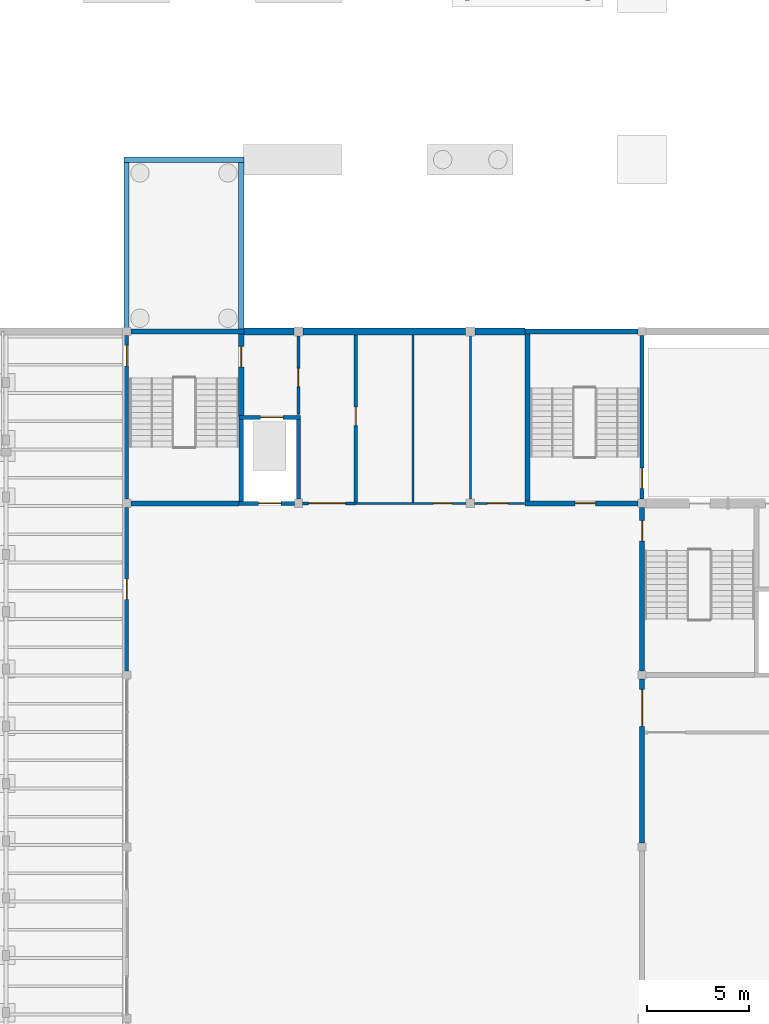
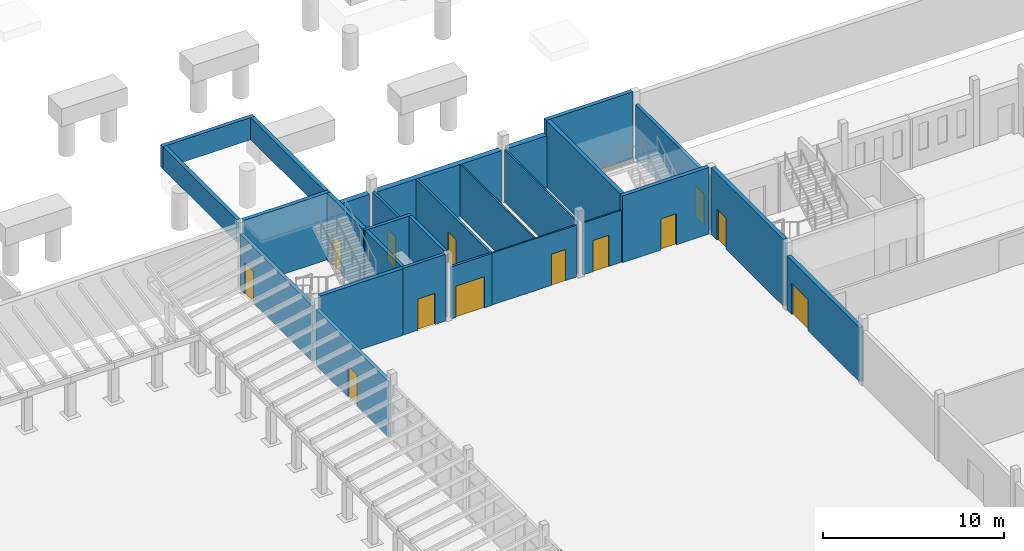
# One storey, part 44 of 60: 28 walls, 14 doors, 14 openings.
"""IFC4 building model written with IfcOpenShell, lengths in metres."""

from ifc_helpers import new_model, si_unit, direction, frame, frame_2d, origin, place, context, subcontext, project, spatial, rectangle, extrude, material, layer, layer_set, type_object, element, fill, save


model = new_model("IFC4")

# Units and contexts
model_context = context("Model", 3, precision=1e-05, world=origin(), true_north=direction((0.0, 1.0)))
body_context = subcontext(model_context, "Body", "Model", "MODEL_VIEW")
ifc_project = project(units=[si_unit("LENGTHUNIT", "METRE"), si_unit("AREAUNIT", "SQUARE_METRE"), si_unit("VOLUMEUNIT", "CUBIC_METRE"), si_unit("PLANEANGLEUNIT", "RADIAN"), si_unit("MASSUNIT", "GRAM", prefix="KILO")], contexts=[model_context])

# Site, building, storey
site_placement = place(None, origin())
site = spatial("IfcSite", under=ifc_project, at=site_placement, CompositionType="ELEMENT")
building_placement = place(site_placement, origin())
building = spatial("IfcBuilding", under=site, at=building_placement, Name="Fescue Hill Polytechnic", CompositionType="ELEMENT")
storey_placement = place(building_placement, frame((0.0, 0.0, 4.5)))
storey = spatial("IfcBuildingStorey", under=building, at=storey_placement, Name="L01", CompositionType="ELEMENT", Elevation=4.5)

# Wall, opening, door
ifc_material_1 = material(Name="Concrete 40 MPa", Category="concrete")
ifc_layer_1 = layer(ifc_material_1, 0.25)
ifc_layer_set_1 = layer_set([ifc_layer_1], Name="Concrete 40 MPa")
wall_type_1 = type_object("IfcWallType", Name="Core wall 250", PredefinedType="SHEAR", material=ifc_layer_set_1)
wall_1_placement = place(storey_placement, frame((117.60009765625, 92.60009765625, 0.0), z_axis=(0.0, 0.0, 1.0), x_axis=(0.0, 1.0, 0.0)))
wall_1 = element("IfcWall", 1, at=wall_1_placement, inside=storey, type_object=wall_type_1, Name="CW-L01-ST-V2-1-31", PredefinedType="SHEAR", context=body_context, shape_type="SweptSolid", body=[
    extrude(rectangle(XDim=8.0, YDim=0.25, at=frame_2d((4.0, 0.0))), origin(), (0.0, 0.0, 1.0), 4.5),
])
opening_1_placement = place(wall_1_placement, frame((6.35009765625, 0.0, 0.0)))
opening_1 = element("IfcOpeningElement", 2, at=opening_1_placement, cuts=wall_1, Name="Opening D1088", PredefinedType="OPENING", context=body_context, shape_type="SweptSolid", body=[
    extrude(rectangle(XDim=1.0, YDim=2.10009765625, at=frame_2d((0.5, 1.050048828125))), frame((0.0, 0.135009765625, 0.0), z_axis=(0.0, -1.0, 0.0), x_axis=(1.0, 0.0, 0.0)), (0.0, 0.0, 1.0), 0.27001953125),
])
ifc_material_2 = material(Name="Steel fire door", Category="steel")
door_type_1 = type_object("IfcDoorType", Name="Door single swing 1000x2100 stair fire rated", OperationType="NOTDEFINED", PredefinedType="DOOR", material=ifc_material_2)
door_1_placement = place(opening_1_placement, origin())
door_1 = element("IfcDoor", 3, at=door_1_placement, inside=storey, type_object=door_type_1, Name="L01 ST-V2-1 stair door", OperationType="SINGLE_SWING_RIGHT", OverallHeight=2.10009765625, OverallWidth=1.0, PredefinedType="DOOR", context=body_context, shape_type="SweptSolid", body=[
    extrude(rectangle(XDim=1.0, YDim=2.10009765625, at=frame_2d((0.5, 1.050048828125))), frame((0.0, 0.02490234375, 0.0), z_axis=(0.0, -1.0, 0.0), x_axis=(1.0, 0.0, 0.0)), (0.0, 0.0, 1.0), 0.050048828125),
])
fill(opening_1, door_1)

# Walls
wall_2_placement = place(storey_placement, frame((92.60009765625, 100.800048828125, 0.0), z_axis=(0.0, 0.0, 1.0), x_axis=(1.0, 0.0, 0.0)))
element("IfcWall", 4, at=wall_2_placement, inside=storey, type_object=wall_type_1, Name="CW-L01-ST-V6-1-11", PredefinedType="SHEAR", context=body_context, shape_type="SweptSolid", body=[
    extrude(rectangle(XDim=5.2998046875, YDim=0.25, at=frame_2d((2.64990234375, 0.0))), origin(), (0.0, 0.0, 1.0), 4.5),
])
wall_3_placement = place(storey_placement, frame((92.60009765625, 109.199951171875, 0.0), z_axis=(0.0, 0.0, 1.0), x_axis=(1.0, 0.0, 0.0)))
element("IfcWall", 5, at=wall_3_placement, inside=storey, type_object=wall_type_1, Name="CW-L01-ST-V6-1-21", PredefinedType="SHEAR", context=body_context, shape_type="SweptSolid", body=[
    extrude(rectangle(XDim=5.52490234375, YDim=0.25, at=frame_2d((2.762451171875, 0.0))), origin(), (0.0, 0.0, 1.0), 4.5),
])

# Wall, opening, door
wall_4_placement = place(storey_placement, frame((98.0, 105.010009765625, 0.0), z_axis=(0.0, 0.0, 1.0), x_axis=(0.0, 1.0, 0.0)))
wall_4 = element("IfcWall", 6, at=wall_4_placement, inside=storey, type_object=wall_type_1, Name="CW-L01-ST-V6-1-41", PredefinedType="SHEAR", context=body_context, shape_type="SweptSolid", body=[
    extrude(rectangle(XDim=4.06494140625, YDim=0.25, at=frame_2d((2.032470703125, 0.0))), origin(), (0.0, 0.0, 1.0), 4.5),
])
opening_2_placement = place(wall_4_placement, frame((2.465087890625, 0.0, 0.0)))
opening_2 = element("IfcOpeningElement", 7, at=opening_2_placement, cuts=wall_4, Name="Opening D1098", PredefinedType="OPENING", context=body_context, shape_type="SweptSolid", body=[
    extrude(rectangle(XDim=1.0, YDim=2.10009765625, at=frame_2d((0.5, 1.050048828125))), frame((0.0, 0.135009765625, 0.0), z_axis=(0.0, -1.0, 0.0), x_axis=(1.0, 0.0, 0.0)), (0.0, 0.0, 1.0), 0.27001953125),
])
door_2_placement = place(opening_2_placement, origin())
door_2 = element("IfcDoor", 8, at=door_2_placement, inside=storey, type_object=door_type_1, Name="L01 ST-V6-1 stair door", OperationType="SINGLE_SWING_RIGHT", OverallHeight=2.10009765625, OverallWidth=1.0, PredefinedType="DOOR", context=body_context, shape_type="SweptSolid", body=[
    extrude(rectangle(XDim=1.0, YDim=2.10009765625, at=frame_2d((0.5, 1.050048828125))), frame((0.0, 0.02490234375, 0.0), z_axis=(0.0, -1.0, 0.0), x_axis=(1.0, 0.0, 0.0)), (0.0, 0.0, 1.0), 0.050048828125),
])
fill(opening_2, door_2)

wall_5_placement = place(storey_placement, frame((111.875, 100.800048828125, 0.0), z_axis=(0.0, 0.0, 1.0), x_axis=(1.0, 0.0, 0.0)))
wall_5 = element("IfcWall", 9, at=wall_5_placement, inside=storey, type_object=wall_type_1, Name="CW-L01-ST-V6-2-11", PredefinedType="SHEAR", context=body_context, shape_type="SweptSolid", body=[
    extrude(rectangle(XDim=5.52490234375, YDim=0.25, at=frame_2d((2.762451171875, 0.0))), origin(), (0.0, 0.0, 1.0), 4.5),
])
opening_3_placement = place(wall_5_placement, frame((2.449951171875, 0.0, 0.0)))
opening_3 = element("IfcOpeningElement", 10, at=opening_3_placement, cuts=wall_5, Name="Opening D1100", PredefinedType="OPENING", context=body_context, shape_type="SweptSolid", body=[
    extrude(rectangle(XDim=1.0, YDim=2.10009765625, at=frame_2d((0.5, 1.050048828125))), frame((0.0, 0.135009765625, 0.0), z_axis=(0.0, -1.0, 0.0), x_axis=(1.0, 0.0, 0.0)), (0.0, 0.0, 1.0), 0.27001953125),
])
door_3_placement = place(opening_3_placement, origin())
door_3 = element("IfcDoor", 11, at=door_3_placement, inside=storey, type_object=door_type_1, Name="L01 ST-V6-2 stair door", OperationType="SINGLE_SWING_LEFT", OverallHeight=2.10009765625, OverallWidth=1.0, PredefinedType="DOOR", context=body_context, shape_type="SweptSolid", body=[
    extrude(rectangle(XDim=1.0, YDim=2.10009765625, at=frame_2d((0.5, 1.050048828125))), frame((0.0, 0.02490234375, 0.0), z_axis=(0.0, -1.0, 0.0), x_axis=(1.0, 0.0, 0.0)), (0.0, 0.0, 1.0), 0.050048828125),
])
fill(opening_3, door_3)

# Walls
wall_6_placement = place(storey_placement, frame((111.875, 109.199951171875, 0.0), z_axis=(0.0, 0.0, 1.0), x_axis=(1.0, 0.0, 0.0)))
element("IfcWall", 12, at=wall_6_placement, inside=storey, type_object=wall_type_1, Name="CW-L01-ST-V6-2-21", PredefinedType="SHEAR", context=body_context, shape_type="SweptSolid", body=[
    extrude(rectangle(XDim=5.52490234375, YDim=0.25, at=frame_2d((2.762451171875, 0.0))), origin(), (0.0, 0.0, 1.0), 4.5),
])
wall_7_placement = place(storey_placement, frame((112.0, 100.925048828125, 0.0), z_axis=(0.0, 0.0, 1.0), x_axis=(0.0, 1.0, 0.0)))
element("IfcWall", 13, at=wall_7_placement, inside=storey, type_object=wall_type_1, Name="CW-L01-ST-V6-2-31", PredefinedType="SHEAR", context=body_context, shape_type="SweptSolid", body=[
    extrude(rectangle(XDim=8.14990234375, YDim=0.25, at=frame_2d((4.074951171875, 0.0))), origin(), (0.0, 0.0, 1.0), 4.5),
])
wall_8_placement = place(storey_placement, frame((92.27490234375, 117.60009765625, 3.0), z_axis=(0.0, 0.0, 1.0), x_axis=(1.0, 0.0, 0.0)))
element("IfcWall", 14, at=wall_8_placement, inside=storey, type_object=wall_type_1, Name="FW-ST-V4b-3-2", PredefinedType="SHEAR", context=body_context, shape_type="SweptSolid", body=[
    extrude(rectangle(XDim=5.85009765625, YDim=0.25, at=frame_2d((2.925048828125, 0.0))), origin(), (0.0, 0.0, 1.0), 1.5),
])
for number, where, z_axis, x_axis, name in (
    (15, (92.39990234375, 109.324951171875, 3.0), (0.0, 0.0, 1.0), (0.0, 1.0, 0.0), "FW-ST-V4b-3-3"),
    (16, (98.0, 109.324951171875, 3.0), (0.0, 0.0, 1.0), (0.0, 1.0, 0.0), "FW-ST-V4b-3-4"),
):
    element("IfcWall", number, at=place(storey_placement, frame(where, z_axis=z_axis, x_axis=x_axis)), inside=storey, type_object=wall_type_1, Name=name, PredefinedType="SHEAR", context=body_context, shape_type="SweptSolid", body=[
        extrude(rectangle(XDim=8.150146484375, YDim=0.25, at=frame_2d((4.0751953125, 0.0))), origin(), (0.0, 0.0, 1.0), 1.5),
    ])

# Wall, opening, door
ifc_layer_2 = layer(ifc_material_1, 0.199951171875)
ifc_layer_set_2 = layer_set([ifc_layer_2], Name="Concrete 40 MPa")
wall_type_2 = type_object("IfcWallType", Name="Entrance core wall concrete 200 load-bearing", PredefinedType="SOLIDWALL", material=ifc_layer_set_2)
wall_9_placement = place(storey_placement, frame((117.60009765625, 101.0, 0.0), z_axis=(0.0, 0.0, 1.0), x_axis=(0.0, 1.0, 0.0)))
wall_9 = element("IfcWall", 17, at=wall_9_placement, inside=storey, type_object=wall_type_2, Name="EW-L01-V6-1", PredefinedType="SOLIDWALL", context=body_context, shape_type="SweptSolid", body=[
    extrude(rectangle(XDim=8.0, YDim=0.199951171875, at=frame_2d((4.0, 0.0))), origin(), (0.0, 0.0, 1.0), 3.64990234375),
])
opening_4_placement = place(wall_9_placement, frame((1.52490234375, 0.0, 0.0), z_axis=(0.0, 0.0, 1.0), x_axis=(-1.0, 0.0, 0.0)))
opening_4 = element("IfcOpeningElement", 18, at=opening_4_placement, cuts=wall_9, Name="Opening D1101", PredefinedType="OPENING", context=body_context, shape_type="SweptSolid", body=[
    extrude(rectangle(XDim=1.0, YDim=2.10009765625, at=frame_2d((0.5, 1.050048828125))), frame((0.0, 0.10986328125, 0.0), z_axis=(0.0, -1.0, 0.0), x_axis=(1.0, 0.0, 0.0)), (0.0, 0.0, 1.0), 0.219970703125),
])
ifc_material_3 = material(Name="Hollow metal")
door_type_2 = type_object("IfcDoorType", Name="Door exit single 1000x2100 fire rated", OperationType="SINGLE_SWING_LEFT", PredefinedType="DOOR", material=ifc_material_3)
door_4_placement = place(opening_4_placement, origin())
door_4 = element("IfcDoor", 19, at=door_4_placement, inside=storey, type_object=door_type_2, Name="Door D1101", OperationType="SINGLE_SWING_LEFT", OverallHeight=2.10009765625, OverallWidth=1.0, PredefinedType="DOOR", context=body_context, shape_type="SweptSolid", body=[
    extrude(rectangle(XDim=1.0, YDim=2.10009765625, at=frame_2d((0.5, 1.050048828125))), frame((0.0, 0.02490234375, 0.0), z_axis=(0.0, -1.0, 0.0), x_axis=(1.0, 0.0, 0.0)), (0.0, 0.0, 1.0), 0.050048828125),
])
fill(opening_4, door_4)

wall_10_placement = place(storey_placement, frame((92.39990234375, 109.0, 0.0), z_axis=(0.0, 0.0, 1.0), x_axis=(0.0, -1.0, 0.0)))
wall_10 = element("IfcWall", 20, at=wall_10_placement, inside=storey, type_object=wall_type_2, Name="EW-L01-V6-2", PredefinedType="SOLIDWALL", context=body_context, shape_type="SweptSolid", body=[
    extrude(rectangle(XDim=8.0, YDim=0.199951171875, at=frame_2d((4.0, 0.0))), origin(), (0.0, 0.0, 1.0), 3.75),
])
opening_5_placement = place(wall_10_placement, frame((1.47509765625, 0.0, 0.0), z_axis=(0.0, 0.0, 1.0), x_axis=(-1.0, 0.0, 0.0)))
opening_5 = element("IfcOpeningElement", 21, at=opening_5_placement, cuts=wall_10, Name="Opening D1099", PredefinedType="OPENING", context=body_context, shape_type="SweptSolid", body=[
    extrude(rectangle(XDim=1.0, YDim=2.10009765625, at=frame_2d((0.5, 1.050048828125))), frame((0.0, 0.10986328125, 0.0), z_axis=(0.0, -1.0, 0.0), x_axis=(1.0, 0.0, 0.0)), (0.0, 0.0, 1.0), 0.219970703125),
])
door_5_placement = place(opening_5_placement, origin())
door_5 = element("IfcDoor", 22, at=door_5_placement, inside=storey, type_object=door_type_2, Name="Door D1099", OperationType="SINGLE_SWING_LEFT", OverallHeight=2.10009765625, OverallWidth=1.0, PredefinedType="DOOR", context=body_context, shape_type="SweptSolid", body=[
    extrude(rectangle(XDim=1.0, YDim=2.10009765625, at=frame_2d((0.5, 1.050048828125))), frame((0.0, 0.02490234375, 0.0), z_axis=(0.0, -1.0, 0.0), x_axis=(1.0, 0.0, 0.0)), (0.0, 0.0, 1.0), 0.050048828125),
])
fill(opening_5, door_5)

ifc_material_4 = material(Name="Glass", Category="glass")
ifc_layer_3 = layer(ifc_material_4, 0.199951171875)
ifc_layer_set_3 = layer_set([ifc_layer_3], Name="Glass")
wall_type_3 = type_object("IfcWallType", Name="Entrance frame wall metal and glass 200", PredefinedType="SOLIDWALL", material=ifc_layer_set_3)
wall_11_placement = place(storey_placement, frame((92.39990234375, 100.60009765625, 0.0), z_axis=(0.0, 0.0, 1.0), x_axis=(0.0, -1.0, 0.0)))
wall_11 = element("IfcWall", 23, at=wall_11_placement, inside=storey, type_object=wall_type_3, Name="EW-L01-V6-3", PredefinedType="SOLIDWALL", context=body_context, shape_type="SweptSolid", body=[
    extrude(rectangle(XDim=8.0, YDim=0.199951171875, at=frame_2d((4.0, 0.0))), origin(), (0.0, 0.0, 1.0), 3.75),
])
opening_6_placement = place(wall_11_placement, frame((3.5, 0.0, 0.0)))
opening_6 = element("IfcOpeningElement", 24, at=opening_6_placement, cuts=wall_11, Name="Opening D1010", PredefinedType="OPENING", context=body_context, shape_type="SweptSolid", body=[
    extrude(rectangle(XDim=1.0, YDim=2.10009765625, at=frame_2d((0.5, 1.050048828125))), frame((0.0, 0.10986328125, 0.0), z_axis=(0.0, -1.0, 0.0), x_axis=(1.0, 0.0, 0.0)), (0.0, 0.0, 1.0), 0.219970703125),
])
ifc_material_5 = material(Name="Aluminium and glass", Category="aluminium")
door_type_3 = type_object("IfcDoorType", Name="Door exit single 1000x2100 glazed", OperationType="SINGLE_SWING_LEFT", PredefinedType="DOOR", material=ifc_material_5)
door_6_placement = place(opening_6_placement, origin())
door_6 = element("IfcDoor", 25, at=door_6_placement, inside=storey, type_object=door_type_3, Name="Door D1010", OperationType="SINGLE_SWING_LEFT", OverallHeight=2.10009765625, OverallWidth=1.0, PredefinedType="DOOR", context=body_context, shape_type="SweptSolid", body=[
    extrude(rectangle(XDim=1.0, YDim=2.10009765625, at=frame_2d((0.5, 1.050048828125))), frame((0.0, 0.02490234375, 0.0), z_axis=(0.0, -1.0, 0.0), x_axis=(1.0, 0.0, 0.0)), (0.0, 0.0, 1.0), 0.050048828125),
])
fill(opening_6, door_6)

ifc_layer_4 = layer(ifc_material_1, 0.199951171875)
ifc_layer_set_4 = layer_set([ifc_layer_4], Name="Concrete 40 MPa")
wall_type_4 = type_object("IfcWallType", Name="Lift shaft wall 200", PredefinedType="SHEAR", material=ifc_layer_set_4)
wall_12_placement = place(storey_placement, frame((97.89990234375, 100.800048828125, 0.0), z_axis=(0.0, 0.0, 1.0), x_axis=(1.0, 0.0, 0.0)))
wall_12 = element("IfcWall", 26, at=wall_12_placement, inside=storey, type_object=wall_type_4, Name="CW-L01-LF-V6-1-11", PredefinedType="SHEAR", context=body_context, shape_type="SweptSolid", body=[
    extrude(rectangle(XDim=2.7001953125, YDim=0.199951171875, at=frame_2d((1.35009765625, 0.0))), origin(), (0.0, 0.0, 1.0), 4.5),
])
opening_7_placement = place(wall_12_placement, frame((0.949951171875, 0.0, 0.0)))
opening_7 = element("IfcOpeningElement", 27, at=opening_7_placement, cuts=wall_12, Name="Opening LD9-L01", PredefinedType="OPENING", context=body_context, shape_type="SweptSolid", body=[
    extrude(rectangle(XDim=1.10009765625, YDim=2.10009765625, at=frame_2d((0.550048828125, 1.050048828125))), frame((0.0, 0.10986328125, 0.0), z_axis=(0.0, -1.0, 0.0), x_axis=(1.0, 0.0, 0.0)), (0.0, 0.0, 1.0), 0.219970703125),
])
ifc_material_6 = material(Name="Stainless steel", Category="steel")
door_type_4 = type_object("IfcDoorType", Name="Lift landing door sliding 1100x2100", OperationType="SLIDING_TO_LEFT", PredefinedType="DOOR", material=ifc_material_6)
door_7_placement = place(opening_7_placement, origin())
door_7 = element("IfcDoor", 28, at=door_7_placement, inside=storey, type_object=door_type_4, Name="L01 LF-V6-1 lift landing door", OperationType="SLIDING_TO_RIGHT", OverallHeight=2.10009765625, OverallWidth=1.10009765625, PredefinedType="DOOR", context=body_context, shape_type="SweptSolid", body=[
    extrude(rectangle(XDim=1.10009765625, YDim=2.10009765625, at=frame_2d((0.550048828125, 1.050048828125))), frame((0.0, 0.02490234375, 0.0), z_axis=(0.0, -1.0, 0.0), x_axis=(1.0, 0.0, 0.0)), (0.0, 0.0, 1.0), 0.050048828125),
])
fill(opening_7, door_7)

wall_13_placement = place(storey_placement, frame((97.89990234375, 105.0, 0.0), z_axis=(0.0, 0.0, 1.0), x_axis=(1.0, 0.0, 0.0)))
wall_13 = element("IfcWall", 29, at=wall_13_placement, inside=storey, type_object=wall_type_4, Name="CW-L01-LF-V6-1-21", PredefinedType="SHEAR", context=body_context, shape_type="SweptSolid", body=[
    extrude(rectangle(XDim=3.0, YDim=0.199951171875, at=frame_2d((1.5, 0.0))), origin(), (0.0, 0.0, 1.0), 4.5),
])
opening_8_placement = place(wall_13_placement, frame((1.050048828125, 0.0, 0.0)))
opening_8 = element("IfcOpeningElement", 30, at=opening_8_placement, cuts=wall_13, Name="Opening LD9-L01N", PredefinedType="OPENING", context=body_context, shape_type="SweptSolid", body=[
    extrude(rectangle(XDim=1.10009765625, YDim=2.10009765625, at=frame_2d((0.550048828125, 1.050048828125))), frame((0.0, 0.10986328125, 0.0), z_axis=(0.0, -1.0, 0.0), x_axis=(1.0, 0.0, 0.0)), (0.0, 0.0, 1.0), 0.219970703125),
])
door_8_placement = place(opening_8_placement, origin())
door_8 = element("IfcDoor", 31, at=door_8_placement, inside=storey, type_object=door_type_4, Name="L01 LF-V6-1 lift landing door", OperationType="SLIDING_TO_LEFT", OverallHeight=2.10009765625, OverallWidth=1.10009765625, PredefinedType="DOOR", context=body_context, shape_type="SweptSolid", body=[
    extrude(rectangle(XDim=1.10009765625, YDim=2.10009765625, at=frame_2d((0.550048828125, 1.050048828125))), frame((0.0, 0.02490234375, 0.0), z_axis=(0.0, -1.0, 0.0), x_axis=(1.0, 0.0, 0.0)), (0.0, 0.0, 1.0), 0.050048828125),
])
fill(opening_8, door_8)

# Walls
wall_14_placement = place(storey_placement, frame((98.0, 100.89990234375, 0.0), z_axis=(0.0, 0.0, 1.0), x_axis=(0.0, 1.0, 0.0)))
element("IfcWall", 32, at=wall_14_placement, inside=storey, type_object=wall_type_4, Name="CW-L01-LF-V6-1-31", PredefinedType="SHEAR", context=body_context, shape_type="SweptSolid", body=[
    extrude(rectangle(XDim=4.0, YDim=0.199951171875, at=frame_2d((2.0, 0.0))), origin(), (0.0, 0.0, 1.0), 4.5),
])
wall_15_placement = place(storey_placement, frame((100.800048828125, 101.0, 0.0), z_axis=(0.0, 0.0, 1.0), x_axis=(0.0, 1.0, 0.0)))
element("IfcWall", 33, at=wall_15_placement, inside=storey, type_object=wall_type_4, Name="CW-L01-LF-V6-1-41", PredefinedType="SHEAR", context=body_context, shape_type="SweptSolid", body=[
    extrude(rectangle(XDim=3.89990234375, YDim=0.199951171875, at=frame_2d((1.949951171875, 0.0))), origin(), (0.0, 0.0, 1.0), 4.5),
])

# Wall, opening, door
ifc_material_7 = material(Name="Gypsum board partition")
ifc_layer_5 = layer(ifc_material_7, 0.14990234375)
ifc_layer_set_5 = layer_set([ifc_layer_5], Name="Gypsum board partition")
wall_type_5 = type_object("IfcWallType", Name="Lobby wall 150 EI 60", PredefinedType="PARTITIONING", material=ifc_layer_set_5)
wall_16_placement = place(storey_placement, frame((101.0, 100.800048828125, 0.0), z_axis=(0.0, 0.0, 1.0), x_axis=(1.0, 0.0, 0.0)))
wall_16 = element("IfcWall", 34, at=wall_16_placement, inside=storey, type_object=wall_type_5, Name="IW-L01-060", PredefinedType="PARTITIONING", context=body_context, shape_type="SweptSolid", body=[
    extrude(rectangle(XDim=2.60009765625, YDim=0.14990234375, at=frame_2d((1.300048828125, 0.0))), origin(), (0.0, 0.0, 1.0), 3.5),
])
opening_9_placement = place(wall_16_placement, frame((0.300048828125, 0.0, 0.0)))
opening_9 = element("IfcOpeningElement", 35, at=opening_9_placement, cuts=wall_16, Name="Opening D1070", PredefinedType="OPENING", context=body_context, shape_type="SweptSolid", body=[
    extrude(rectangle(XDim=1.800048828125, YDim=2.10009765625, at=frame_2d((0.89990234375, 1.050048828125))), frame((0.0, 0.0849609375, 0.0), z_axis=(0.0, -1.0, 0.0), x_axis=(1.0, 0.0, 0.0)), (0.0, 0.0, 1.0), 0.169921875),
])
ifc_material_8 = material(Name="Steel", Category="steel")
door_type_5 = type_object("IfcDoorType", Name="Door double swing 1800x2100 FD60", OperationType="DOUBLE_DOOR_SINGLE_SWING", PredefinedType="DOOR", material=ifc_material_8)
door_9_placement = place(opening_9_placement, origin())
door_9 = element("IfcDoor", 36, at=door_9_placement, inside=storey, type_object=door_type_5, Name="Door D1070", OperationType="DOUBLE_DOOR_SINGLE_SWING", OverallHeight=2.10009765625, OverallWidth=1.800048828125, PredefinedType="DOOR", context=body_context, shape_type="SweptSolid", body=[
    extrude(rectangle(XDim=1.800048828125, YDim=2.10009765625, at=frame_2d((0.89990234375, 1.050048828125))), frame((0.0, 0.02490234375, 0.0), z_axis=(0.0, -1.0, 0.0), x_axis=(1.0, 0.0, 0.0)), (0.0, 0.0, 1.0), 0.050048828125),
])
fill(opening_9, door_9)

wall_17_placement = place(storey_placement, frame((100.800048828125, 105.14990234375, 0.0), z_axis=(0.0, 0.0, 1.0), x_axis=(0.0, 1.0, 0.0)))
wall_17 = element("IfcWall", 37, at=wall_17_placement, inside=storey, type_object=wall_type_5, Name="IW-L01-092", PredefinedType="PARTITIONING", context=body_context, shape_type="SweptSolid", body=[
    extrude(rectangle(XDim=3.8251953125, YDim=0.14990234375, at=frame_2d((1.91259765625, 0.0))), origin(), (0.0, 0.0, 1.0), 3.64990234375),
])
opening_10_placement = place(wall_17_placement, frame((1.35009765625, 0.0, 0.0)))
opening_10 = element("IfcOpeningElement", 38, at=opening_10_placement, cuts=wall_17, Name="Opening D1075", PredefinedType="OPENING", context=body_context, shape_type="SweptSolid", body=[
    extrude(rectangle(XDim=0.89990234375, YDim=2.10009765625, at=frame_2d((0.449951171875, 1.050048828125))), frame((0.0, 0.0849609375, 0.0), z_axis=(0.0, -1.0, 0.0), x_axis=(1.0, 0.0, 0.0)), (0.0, 0.0, 1.0), 0.169921875),
])
door_type_6 = type_object("IfcDoorType", Name="Door single swing 900x2100 FD60", OperationType="SINGLE_SWING_LEFT", PredefinedType="DOOR", material=ifc_material_8)
door_10_placement = place(opening_10_placement, origin())
door_10 = element("IfcDoor", 39, at=door_10_placement, inside=storey, type_object=door_type_6, Name="Door D1075", OperationType="SINGLE_SWING_LEFT", OverallHeight=2.10009765625, OverallWidth=0.89990234375, PredefinedType="DOOR", context=body_context, shape_type="SweptSolid", body=[
    extrude(rectangle(XDim=0.89990234375, YDim=2.10009765625, at=frame_2d((0.449951171875, 1.050048828125))), frame((0.0, 0.02490234375, 0.0), z_axis=(0.0, -1.0, 0.0), x_axis=(1.0, 0.0, 0.0)), (0.0, 0.0, 1.0), 0.050048828125),
])
fill(opening_10, door_10)

wall_18_placement = place(storey_placement, frame((103.60009765625, 100.800048828125, 0.0), z_axis=(0.0, 0.0, 1.0), x_axis=(0.0, 1.0, 0.0)))
wall_18 = element("IfcWall", 40, at=wall_18_placement, inside=storey, type_object=wall_type_5, Name="IW-L01-094", PredefinedType="PARTITIONING", context=body_context, shape_type="SweptSolid", body=[
    extrude(rectangle(XDim=8.224853515625, YDim=0.14990234375, at=frame_2d((4.1123046875, 0.0))), origin(), (0.0, 0.0, 1.0), 3.5),
])
opening_11_placement = place(wall_18_placement, frame((3.800048828125, 0.0, 0.0)))
opening_11 = element("IfcOpeningElement", 41, at=opening_11_placement, cuts=wall_18, Name="Opening D1072", PredefinedType="OPENING", context=body_context, shape_type="SweptSolid", body=[
    extrude(rectangle(XDim=0.89990234375, YDim=2.10009765625, at=frame_2d((0.449951171875, 1.050048828125))), frame((0.0, 0.0849609375, 0.0), z_axis=(0.0, -1.0, 0.0), x_axis=(1.0, 0.0, 0.0)), (0.0, 0.0, 1.0), 0.169921875),
])
door_11_placement = place(opening_11_placement, origin())
door_11 = element("IfcDoor", 42, at=door_11_placement, inside=storey, type_object=door_type_6, Name="Door D1072", OperationType="SINGLE_SWING_RIGHT", OverallHeight=2.10009765625, OverallWidth=0.89990234375, PredefinedType="DOOR", context=body_context, shape_type="SweptSolid", body=[
    extrude(rectangle(XDim=0.89990234375, YDim=2.10009765625, at=frame_2d((0.449951171875, 1.050048828125))), frame((0.0, 0.02490234375, 0.0), z_axis=(0.0, -1.0, 0.0), x_axis=(1.0, 0.0, 0.0)), (0.0, 0.0, 1.0), 0.050048828125),
])
fill(opening_11, door_11)

ifc_material_9 = material(Name="Concrete 35 MPa", Category="concrete")
ifc_layer_6 = layer(ifc_material_9, 0.25)
ifc_layer_set_6 = layer_set([ifc_layer_6], Name="Concrete 35 MPa")
wall_type_6 = type_object("IfcWallType", Name="Party wall 250 concrete EI 120", PredefinedType="SOLIDWALL", material=ifc_layer_set_6)
wall_19_placement = place(storey_placement, frame((117.60009765625, 84.199951171875, 0.0), z_axis=(0.0, 0.0, 1.0), x_axis=(0.0, 1.0, 0.0)))
wall_19 = element("IfcWall", 43, at=wall_19_placement, inside=storey, type_object=wall_type_6, Name="IW-L01-102", PredefinedType="SOLIDWALL", context=body_context, shape_type="SweptSolid", body=[
    extrude(rectangle(XDim=8.0, YDim=0.25, at=frame_2d((4.0, 0.0))), origin(), (0.0, 0.0, 1.0), 3.64990234375),
])
opening_12_placement = place(wall_19_placement, frame((5.699951171875, 0.0, 0.0)))
opening_12 = element("IfcOpeningElement", 44, at=opening_12_placement, cuts=wall_19, Name="Opening D1071", PredefinedType="OPENING", context=body_context, shape_type="SweptSolid", body=[
    extrude(rectangle(XDim=1.800048828125, YDim=2.10009765625, at=frame_2d((0.89990234375, 1.050048828125))), frame((0.0, 0.135009765625, 0.0), z_axis=(0.0, -1.0, 0.0), x_axis=(1.0, 0.0, 0.0)), (0.0, 0.0, 1.0), 0.27001953125),
])
door_type_7 = type_object("IfcDoorType", Name="Door double swing 1800x2100 FD90", OperationType="DOUBLE_DOOR_SINGLE_SWING", PredefinedType="DOOR", material=ifc_material_8)
door_12_placement = place(opening_12_placement, origin())
door_12 = element("IfcDoor", 45, at=door_12_placement, inside=storey, type_object=door_type_7, Name="Door D1071", OperationType="DOUBLE_DOOR_SINGLE_SWING", OverallHeight=2.10009765625, OverallWidth=1.800048828125, PredefinedType="DOOR", context=body_context, shape_type="SweptSolid", body=[
    extrude(rectangle(XDim=1.800048828125, YDim=2.10009765625, at=frame_2d((0.89990234375, 1.050048828125))), frame((0.0, 0.02490234375, 0.0), z_axis=(0.0, -1.0, 0.0), x_axis=(1.0, 0.0, 0.0)), (0.0, 0.0, 1.0), 0.050048828125),
])
fill(opening_12, door_12)

# Walls
ifc_layer_7 = layer(ifc_material_9, 0.35009765625)
ifc_layer_set_7 = layer_set([ifc_layer_7], Name="Concrete 35 MPa")
wall_type_7 = type_object("IfcWallType", Name="Retaining wall 350", PredefinedType="SOLIDWALL", material=ifc_layer_set_7)
wall_20_placement = place(storey_placement, frame((108.97509765625, 109.199951171875, -0.25), z_axis=(0.0, 0.0, 1.0), x_axis=(-1.0, 0.0, 0.0)))
element("IfcWall", 46, at=wall_20_placement, inside=storey, type_object=wall_type_7, Name="RE-L01-V6-23", PredefinedType="SOLIDWALL", context=body_context, shape_type="SweptSolid", body=[
    extrude(rectangle(XDim=7.9501953125, YDim=0.35009765625, at=frame_2d((3.97509765625, 0.0))), origin(), (0.0, 0.0, 1.0), 3.75),
])
for number, where, z_axis, x_axis, name in (
    (47, (111.875, 109.199951171875, -0.25), (0.0, 0.0, 1.0), (-1.0, 0.0, 0.0), "RE-L01-V6-22"),
    (48, (100.574951171875, 109.199951171875, -0.25), (0.0, 0.0, 1.0), (-1.0, 0.0, 0.0), "RE-L01-V6-24"),
):
    element("IfcWall", number, at=place(storey_placement, frame(where, z_axis=z_axis, x_axis=x_axis)), inside=storey, type_object=wall_type_7, Name=name, PredefinedType="SOLIDWALL", context=body_context, shape_type="SweptSolid", body=[
        extrude(rectangle(XDim=2.449951171875, YDim=0.35009765625, at=frame_2d((1.22509765625, 0.0))), origin(), (0.0, 0.0, 1.0), 3.75),
    ])

# Wall, opening, door
ifc_layer_8 = layer(ifc_material_7, 0.10009765625)
ifc_layer_set_8 = layer_set([ifc_layer_8], Name="Gypsum board partition")
wall_type_8 = type_object("IfcWallType", Name="WC partition 100 moisture resistant", PredefinedType="PARTITIONING", material=ifc_layer_set_8)
wall_21_placement = place(storey_placement, frame((103.60009765625, 100.800048828125, 0.0), z_axis=(0.0, 0.0, 1.0), x_axis=(1.0, 0.0, 0.0)))
wall_21 = element("IfcWall", 49, at=wall_21_placement, inside=storey, type_object=wall_type_8, Name="IW-L01-063", PredefinedType="PARTITIONING", context=body_context, shape_type="SweptSolid", body=[
    extrude(rectangle(XDim=5.39990234375, YDim=0.10009765625, at=frame_2d((2.699951171875, 0.0))), origin(), (0.0, 0.0, 1.0), 3.5),
])
opening_13_placement = place(wall_21_placement, frame((3.800048828125, 0.0, 0.0)))
opening_13 = element("IfcOpeningElement", 50, at=opening_13_placement, cuts=wall_21, Name="Opening D1073", PredefinedType="OPENING", context=body_context, shape_type="SweptSolid", body=[
    extrude(rectangle(XDim=0.89990234375, YDim=2.10009765625, at=frame_2d((0.449951171875, 1.050048828125))), frame((0.0, 0.06005859375, 0.0), z_axis=(0.0, -1.0, 0.0), x_axis=(1.0, 0.0, 0.0)), (0.0, 0.0, 1.0), 0.1201171875),
])
ifc_material_10 = material(Name="Timber", Category="wood")
door_type_8 = type_object("IfcDoorType", Name="Door single swing 900x2100 WC", OperationType="SINGLE_SWING_LEFT", PredefinedType="DOOR", material=ifc_material_10)
door_13_placement = place(opening_13_placement, origin())
door_13 = element("IfcDoor", 51, at=door_13_placement, inside=storey, type_object=door_type_8, Name="Door D1073", OperationType="SINGLE_SWING_RIGHT", OverallHeight=2.10009765625, OverallWidth=0.89990234375, PredefinedType="DOOR", context=body_context, shape_type="SweptSolid", body=[
    extrude(rectangle(XDim=0.89990234375, YDim=2.10009765625, at=frame_2d((0.449951171875, 1.050048828125))), frame((0.0, 0.02490234375, 0.0), z_axis=(0.0, -1.0, 0.0), x_axis=(1.0, 0.0, 0.0)), (0.0, 0.0, 1.0), 0.050048828125),
])
fill(opening_13, door_13)

wall_22_placement = place(storey_placement, frame((109.39990234375, 100.800048828125, 0.0), z_axis=(0.0, 0.0, 1.0), x_axis=(1.0, 0.0, 0.0)))
wall_22 = element("IfcWall", 52, at=wall_22_placement, inside=storey, type_object=wall_type_8, Name="IW-L01-064", PredefinedType="PARTITIONING", context=body_context, shape_type="SweptSolid", body=[
    extrude(rectangle(XDim=2.4501953125, YDim=0.10009765625, at=frame_2d((1.22509765625, 0.0))), origin(), (0.0, 0.0, 1.0), 3.5),
])
opening_14_placement = place(wall_22_placement, frame((0.64990234375, 0.0, 0.0)))
opening_14 = element("IfcOpeningElement", 53, at=opening_14_placement, cuts=wall_22, Name="Opening D1074", PredefinedType="OPENING", context=body_context, shape_type="SweptSolid", body=[
    extrude(rectangle(XDim=1.0, YDim=2.10009765625, at=frame_2d((0.5, 1.050048828125))), frame((0.0, 0.06005859375, 0.0), z_axis=(0.0, -1.0, 0.0), x_axis=(1.0, 0.0, 0.0)), (0.0, 0.0, 1.0), 0.1201171875),
])
door_type_9 = type_object("IfcDoorType", Name="Door single swing 1000x2100 accessible WC", OperationType="SINGLE_SWING_LEFT", PredefinedType="DOOR", material=ifc_material_10)
door_14_placement = place(opening_14_placement, origin())
door_14 = element("IfcDoor", 54, at=door_14_placement, inside=storey, type_object=door_type_9, Name="Door D1074", OperationType="SINGLE_SWING_LEFT", OverallHeight=2.10009765625, OverallWidth=1.0, PredefinedType="DOOR", context=body_context, shape_type="SweptSolid", body=[
    extrude(rectangle(XDim=1.0, YDim=2.10009765625, at=frame_2d((0.5, 1.050048828125))), frame((0.0, 0.02490234375, 0.0), z_axis=(0.0, -1.0, 0.0), x_axis=(1.0, 0.0, 0.0)), (0.0, 0.0, 1.0), 0.050048828125),
])
fill(opening_14, door_14)

# Walls
wall_23_placement = place(storey_placement, frame((106.39990234375, 100.800048828125, 0.0), z_axis=(0.0, 0.0, 1.0), x_axis=(0.0, 1.0, 0.0)))
element("IfcWall", 55, at=wall_23_placement, inside=storey, type_object=wall_type_8, Name="IW-L01-096", PredefinedType="PARTITIONING", context=body_context, shape_type="SweptSolid", body=[
    extrude(rectangle(XDim=8.224853515625, YDim=0.10009765625, at=frame_2d((4.1123046875, 0.0))), origin(), (0.0, 0.0, 1.0), 3.5),
])
wall_24_placement = place(storey_placement, frame((109.199951171875, 101.0, 0.0), z_axis=(0.0, 0.0, 1.0), x_axis=(0.0, 1.0, 0.0)))
element("IfcWall", 56, at=wall_24_placement, inside=storey, type_object=wall_type_8, Name="IW-L01-098", PredefinedType="PARTITIONING", context=body_context, shape_type="SweptSolid", body=[
    extrude(rectangle(XDim=7.97509765625, YDim=0.10009765625, at=frame_2d((3.987548828125, 0.0))), origin(), (0.0, 0.0, 1.0), 3.550048828125),
])

save(model, "model.ifc")
